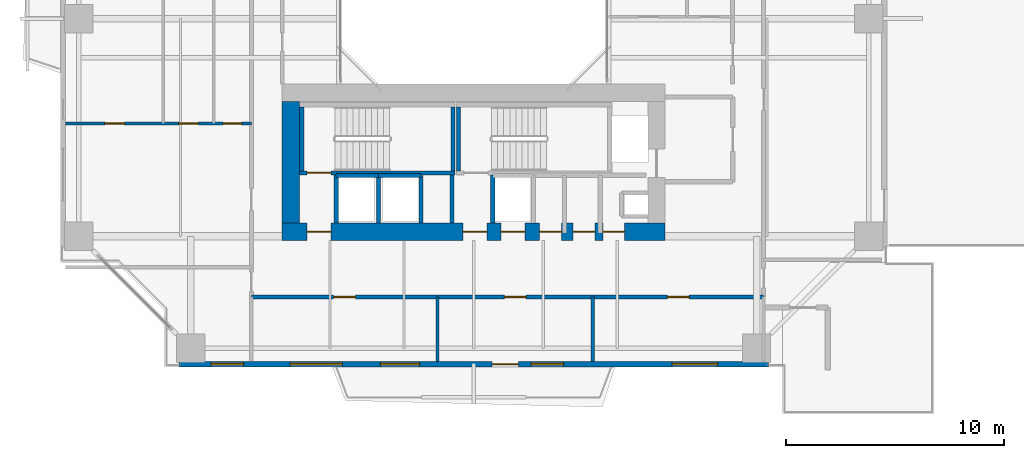
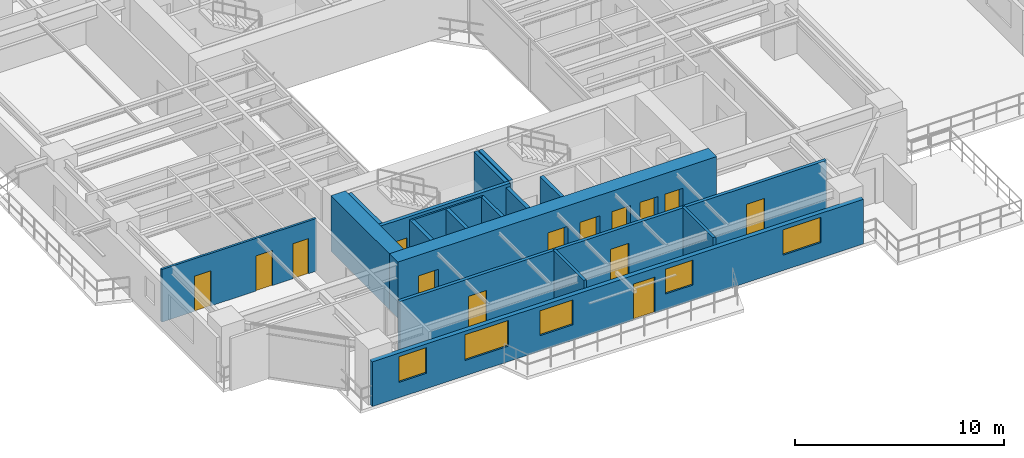
# One storey, part 10 of 22: 18 walls, 14 doors, 5 windows, 19 openings.
"""IFC4 building model written with IfcOpenShell, lengths in metres."""

from ifc_helpers import new_model, si_unit, direction, frame, frame_2d, origin, place, context, subcontext, project, spatial, rectangle, extrude, source, transform, mapped, material, layer, layer_set, type_object, element, fill, save


model = new_model("IFC4")

# Units and contexts
model_context = context("Model", 3, precision=1e-05, world=origin(), true_north=direction((0.0, 1.0)))
body_context = subcontext(model_context, "Body", "Model", "MODEL_VIEW")
ifc_project = project(units=[si_unit("LENGTHUNIT", "METRE"), si_unit("AREAUNIT", "SQUARE_METRE"), si_unit("VOLUMEUNIT", "CUBIC_METRE"), si_unit("PLANEANGLEUNIT", "RADIAN"), si_unit("MASSUNIT", "GRAM", prefix="KILO"), si_unit("THERMODYNAMICTEMPERATUREUNIT", "KELVIN"), si_unit("POWERUNIT", "WATT")], contexts=[model_context])

# Site, building, storey
site_placement = place(None, origin())
site = spatial("IfcSite", under=ifc_project, at=site_placement, CompositionType="ELEMENT")
building_placement = place(site_placement, origin())
building = spatial("IfcBuilding", under=site, at=building_placement, Name="Qiaomeng Ring Towers", CompositionType="ELEMENT")
storey_placement = place(building_placement, frame((0.0, 0.0, 23.0)))
storey = spatial("IfcBuildingStorey", under=building, at=storey_placement, Name="L05", CompositionType="ELEMENT", Elevation=23.0)

# Wall, openings, windows, door
ifc_material_1 = material(Name="Precast concrete C40", Category="concrete")
ifc_layer_1 = layer(ifc_material_1, 0.25, Name="Precast concrete C40")
ifc_layer_set_1 = layer_set([ifc_layer_1], Name="Precast concrete C40")
wall_type_1 = type_object("IfcWallType", Name="ARC-WL-EW1", PredefinedType="STANDARD", material=ifc_layer_set_1)
wall_1_placement = place(storey_placement, frame((5.449951171875, 4.125, 0.0), z_axis=(0.0, 0.0, 1.0), x_axis=(1.0, 0.0, 0.0)))
wall_1 = element("IfcWall", 1, at=wall_1_placement, inside=storey, type_object=wall_type_1, Name="L05 Tower 1 S Exterior Wall", PredefinedType="STANDARD", context=body_context, shape_type="SweptSolid", body=[
    extrude(rectangle(XDim=27.10009765625, YDim=0.25, at=frame_2d((13.550048828125, 0.0))), origin(), (0.0, 0.0, 1.0), 2.610107421875),
])
opening_1_placement = place(wall_1_placement, frame((14.39990234375, 0.0, 0.0)))
opening_1 = element("IfcOpeningElement", 2, at=opening_1_placement, cuts=wall_1, Name="Opening BD1", PredefinedType="OPENING", context=body_context, shape_type="SweptSolid", body=[
    extrude(rectangle(XDim=1.199951171875, YDim=2.10009765625, at=frame_2d((0.60009765625, 1.050048828125))), frame((0.0, 0.135009765625, 0.0), z_axis=(0.0, -1.0, 0.0), x_axis=(1.0, 0.0, 0.0)), (0.0, 0.0, 1.0), 0.27001953125),
])
opening_2_placement = place(wall_1_placement, frame((1.47998046875, 0.0, 0.89990234375)))
opening_2 = element("IfcOpeningElement", 3, at=opening_2_placement, cuts=wall_1, Name="Opening WN2", PredefinedType="OPENING", context=body_context, shape_type="SweptSolid", body=[
    extrude(rectangle(XDim=1.5, YDim=1.5, at=frame_2d((0.75, 0.75))), frame((0.0, 0.135009765625, 0.0), z_axis=(0.0, -1.0, 0.0), x_axis=(1.0, 0.0, 0.0)), (0.0, 0.0, 1.0), 0.27001953125),
])
opening_3_placement = place(wall_1_placement, frame((9.262939453125, 0.0, 0.89990234375)))
opening_3 = element("IfcOpeningElement", 4, at=opening_3_placement, cuts=wall_1, Name="Opening WN1", PredefinedType="OPENING", context=body_context, shape_type="SweptSolid", body=[
    extrude(rectangle(XDim=1.800048828125, YDim=1.449951171875, at=frame_2d((0.89990234375, 0.72509765625))), frame((0.0, 0.135009765625, 0.0), z_axis=(0.0, -1.0, 0.0), x_axis=(1.0, 0.0, 0.0)), (0.0, 0.0, 1.0), 0.27001953125),
])
opening_4_placement = place(wall_1_placement, frame((16.18798828125, 0.0, 0.89990234375)))
opening_4 = element("IfcOpeningElement", 5, at=opening_4_placement, cuts=wall_1, Name="Opening WN2", PredefinedType="OPENING", context=body_context, shape_type="SweptSolid", body=[
    extrude(rectangle(XDim=1.5, YDim=1.449951171875, at=frame_2d((0.75, 0.72509765625))), frame((0.0, 0.135009765625, 0.0), z_axis=(0.0, -1.0, 0.0), x_axis=(1.0, 0.0, 0.0)), (0.0, 0.0, 1.0), 0.27001953125),
])
opening_5_placement = place(wall_1_placement, frame((22.6630859375, 0.0, 0.89990234375)))
opening_5 = element("IfcOpeningElement", 6, at=opening_5_placement, cuts=wall_1, Name="Opening WN4", PredefinedType="OPENING", context=body_context, shape_type="SweptSolid", body=[
    extrude(rectangle(XDim=2.10009765625, YDim=1.47998046875, at=frame_2d((1.050048828125, 0.739990234375))), frame((0.0, 0.135009765625, 0.0), z_axis=(0.0, -1.0, 0.0), x_axis=(1.0, 0.0, 0.0)), (0.0, 0.0, 1.0), 0.27001953125),
])
opening_6_placement = place(wall_1_placement, frame((5.114013671875, 0.0, 0.89990234375)))
opening_6 = element("IfcOpeningElement", 7, at=opening_6_placement, cuts=wall_1, Name="Opening WN6", PredefinedType="OPENING", context=body_context, shape_type="SweptSolid", body=[
    extrude(rectangle(XDim=2.39990234375, YDim=1.5, at=frame_2d((1.199951171875, 0.75))), frame((0.0, 0.135009765625, 0.0), z_axis=(0.0, -1.0, 0.0), x_axis=(1.0, 0.0, 0.0)), (0.0, 0.0, 1.0), 0.27001953125),
])
ifc_material_2 = material(Name="Low-E dark-grey laminated double glazing", Category="glass")
window_type_1 = type_object("IfcWindowType", Name="ARC-WN-2", PartitioningType="DOUBLE_PANEL_VERTICAL", PredefinedType="WINDOW", material=ifc_material_2)
shared_shape_1 = source(origin(), body_context, "Body", "SweptSolid", [
    extrude(rectangle(XDim=1.5, YDim=1.449951171875, at=frame_2d((0.75, 0.72509765625))), frame((0.0, 0.030029296875, 0.0), z_axis=(0.0, -1.0, 0.0), x_axis=(1.0, 0.0, 0.0)), (0.0, 0.0, 1.0), 0.06005859375),
])
window_1_placement = place(opening_4_placement, origin())
window_1 = element("IfcWindow", 8, at=window_1_placement, inside=storey, type_object=window_type_1, Name="L05 Exterior Window WN2", OverallHeight=1.449951171875, OverallWidth=1.5, PartitioningType="DOUBLE_PANEL_VERTICAL", PredefinedType="WINDOW", context=body_context, shape_type="MappedRepresentation", body=[
    mapped(shared_shape_1, transform((0.0, 0.0, 0.0), x_axis=(1.0, 0.0, 0.0), y_axis=(0.0, 1.0, 0.0), z_axis=(0.0, 0.0, 1.0), scale=1.0)),
])
fill(opening_4, window_1)
window_type_2 = type_object("IfcWindowType", Name="ARC-WN-4", PartitioningType="TRIPLE_PANEL_VERTICAL", PredefinedType="WINDOW", material=ifc_material_2)
shared_shape_2 = source(origin(), body_context, "Body", "SweptSolid", [
    extrude(rectangle(XDim=2.10009765625, YDim=1.47998046875, at=frame_2d((1.050048828125, 0.739990234375))), frame((0.0, 0.030029296875, 0.0), z_axis=(0.0, -1.0, 0.0), x_axis=(1.0, 0.0, 0.0)), (0.0, 0.0, 1.0), 0.06005859375),
])
window_2_placement = place(opening_5_placement, origin())
window_2 = element("IfcWindow", 9, at=window_2_placement, inside=storey, type_object=window_type_2, Name="L05 Exterior Window WN4", OverallHeight=1.47998046875, OverallWidth=2.10009765625, PartitioningType="TRIPLE_PANEL_VERTICAL", PredefinedType="WINDOW", context=body_context, shape_type="MappedRepresentation", body=[
    mapped(shared_shape_2, transform((0.0, 0.0, 0.0), x_axis=(1.0, 0.0, 0.0), y_axis=(0.0, 1.0, 0.0), z_axis=(0.0, 0.0, 1.0), scale=1.0)),
])
fill(opening_5, window_2)
window_type_3 = type_object("IfcWindowType", Name="ARC-WN-1", PartitioningType="DOUBLE_PANEL_VERTICAL", PredefinedType="WINDOW", material=ifc_material_2)
shared_shape_3 = source(origin(), body_context, "Body", "SweptSolid", [
    extrude(rectangle(XDim=1.800048828125, YDim=1.449951171875, at=frame_2d((0.89990234375, 0.72509765625))), frame((0.0, 0.030029296875, 0.0), z_axis=(0.0, -1.0, 0.0), x_axis=(1.0, 0.0, 0.0)), (0.0, 0.0, 1.0), 0.06005859375),
])
window_3_placement = place(opening_3_placement, origin())
window_3 = element("IfcWindow", 10, at=window_3_placement, inside=storey, type_object=window_type_3, Name="L05 Exterior Window WN1", OverallHeight=1.449951171875, OverallWidth=1.800048828125, PartitioningType="DOUBLE_PANEL_VERTICAL", PredefinedType="WINDOW", context=body_context, shape_type="MappedRepresentation", body=[
    mapped(shared_shape_3, transform((0.0, 0.0, 0.0), x_axis=(1.0, 0.0, 0.0), y_axis=(0.0, 1.0, 0.0), z_axis=(0.0, 0.0, 1.0), scale=1.0)),
])
fill(opening_3, window_3)
door_type_1 = type_object("IfcDoorType", Name="ARC-DR-BD1", OperationType="NOTDEFINED", PredefinedType="DOOR", material=ifc_material_2)
shared_shape_4 = source(origin(), body_context, "Body", "SweptSolid", [
    extrude(rectangle(XDim=1.199951171875, YDim=2.10009765625, at=frame_2d((0.60009765625, 1.050048828125))), frame((0.0, 0.02490234375, 0.0), z_axis=(0.0, -1.0, 0.0), x_axis=(1.0, 0.0, 0.0)), (0.0, 0.0, 1.0), 0.050048828125),
])
door_1_placement = place(opening_1_placement, frame((1.199951171875, 0.0, 0.0), z_axis=(0.0, 0.0, 1.0), x_axis=(-1.0, 0.0, 0.0)))
door_1 = element("IfcDoor", 11, at=door_1_placement, inside=storey, type_object=door_type_1, Name="L05 S Balcony Glazed Door", OperationType="SINGLE_SWING_LEFT", OverallHeight=2.10009765625, OverallWidth=1.199951171875, PredefinedType="DOOR", context=body_context, shape_type="MappedRepresentation", body=[
    mapped(shared_shape_4, transform((0.0, 0.0, 0.0), x_axis=(1.0, 0.0, 0.0), y_axis=(0.0, 1.0, 0.0), z_axis=(0.0, 0.0, 1.0), scale=1.0)),
])
fill(opening_1, door_1)
shared_shape_5 = source(origin(), body_context, "Body", "SweptSolid", [
    extrude(rectangle(XDim=1.5, YDim=1.5, at=frame_2d((0.75, 0.75))), frame((0.0, 0.030029296875, 0.0), z_axis=(0.0, -1.0, 0.0), x_axis=(1.0, 0.0, 0.0)), (0.0, 0.0, 1.0), 0.06005859375),
])
window_4_placement = place(opening_2_placement, origin())
window_4 = element("IfcWindow", 12, at=window_4_placement, inside=storey, type_object=window_type_1, Name="L05 Exterior Window WN6", OverallHeight=1.5, OverallWidth=1.5, PartitioningType="TRIPLE_PANEL_VERTICAL", PredefinedType="WINDOW", context=body_context, shape_type="MappedRepresentation", body=[
    mapped(shared_shape_5, transform((0.0, 0.0, 0.0), x_axis=(1.0, 0.0, 0.0), y_axis=(0.0, 1.0, 0.0), z_axis=(0.0, 0.0, 1.0), scale=1.0)),
])
fill(opening_2, window_4)
window_type_4 = type_object("IfcWindowType", Name="ARC-WN-6", PartitioningType="TRIPLE_PANEL_VERTICAL", PredefinedType="WINDOW", material=ifc_material_2)
shared_shape_6 = source(origin(), body_context, "Body", "SweptSolid", [
    extrude(rectangle(XDim=2.39990234375, YDim=1.5, at=frame_2d((1.199951171875, 0.75))), frame((0.0, 0.030029296875, 0.0), z_axis=(0.0, -1.0, 0.0), x_axis=(1.0, 0.0, 0.0)), (0.0, 0.0, 1.0), 0.06005859375),
])
window_5_placement = place(opening_6_placement, origin())
window_5 = element("IfcWindow", 13, at=window_5_placement, inside=storey, type_object=window_type_4, Name="L05 Exterior Window WN6", OverallHeight=1.5, OverallWidth=2.39990234375, PartitioningType="TRIPLE_PANEL_VERTICAL", PredefinedType="WINDOW", context=body_context, shape_type="MappedRepresentation", body=[
    mapped(shared_shape_6, transform((0.0, 0.0, 0.0), x_axis=(1.0, 0.0, 0.0), y_axis=(0.0, 1.0, 0.0), z_axis=(0.0, 0.0, 1.0), scale=1.0)),
])
fill(opening_6, window_5)

# Walls
ifc_material_3 = material(Name="Autoclaved aerated concrete block", Category="concrete")
ifc_layer_2 = layer(ifc_material_3, 0.199951171875, Name="Autoclaved aerated concrete block")
ifc_layer_set_2 = layer_set([ifc_layer_2], Name="Autoclaved aerated concrete block")
wall_type_2 = type_object("IfcWallType", Name="ARC-WL-PW1", PredefinedType="PARTITIONING", material=ifc_layer_set_2)
for number, where, z_axis, x_axis, name in (
    (14, (12.679931640625, 10.60009765625, 0.0), (0.0, 0.0, 1.0), (0.0, 1.0, 0.0), "L05 Interior Wall PW1"),
    (15, (18.0, 10.60009765625, 0.0), (0.0, 0.0, 1.0), (0.0, 1.0, 0.0), "L05 Interior Wall PW1"),
    (16, (19.8798828125, 10.60009765625, 0.0), (0.0, 0.0, 1.0), (0.0, 1.0, 0.0), "L05 Interior Wall PW1"),
):
    element("IfcWall", number, at=place(storey_placement, frame(where, z_axis=z_axis, x_axis=x_axis)), inside=storey, type_object=wall_type_2, Name=name, PredefinedType="PARTITIONING", context=body_context, shape_type="SweptSolid", body=[
        extrude(rectangle(XDim=2.2099609375, YDim=0.199951171875, at=frame_2d((1.10498046875, 0.0))), origin(), (0.0, 0.0, 1.0), 3.070068359375),
    ])

# Wall, openings, doors
ifc_layer_3 = layer(ifc_material_3, 0.179931640625, Name="Autoclaved aerated concrete block")
ifc_layer_set_3 = layer_set([ifc_layer_3], Name="Autoclaved aerated concrete block")
wall_type_3 = type_object("IfcWallType", Name="ARC-WL-PW2", PredefinedType="PARTITIONING", material=ifc_layer_set_3)
wall_2_placement = place(storey_placement, frame((8.780029296875, 7.2099609375, 0.0), z_axis=(0.0, 0.0, 1.0), x_axis=(1.0, 0.0, 0.0)))
wall_2 = element("IfcWall", 17, at=wall_2_placement, inside=storey, type_object=wall_type_3, Name="L05 Interior Wall PW2", PredefinedType="PARTITIONING", context=body_context, shape_type="SweptSolid", body=[
    extrude(rectangle(XDim=23.5400390625, YDim=0.179931640625, at=frame_2d((11.77001953125, 0.0))), origin(), (0.0, 0.0, 1.0), 3.070068359375),
])
opening_7_placement = place(wall_2_placement, frame((3.780029296875, 0.0, 0.0)))
opening_7 = element("IfcOpeningElement", 18, at=opening_7_placement, cuts=wall_2, Name="Opening FD4", PredefinedType="OPENING", context=body_context, shape_type="SweptSolid", body=[
    extrude(rectangle(XDim=1.0, YDim=2.050048828125, at=frame_2d((0.5, 1.02490234375))), frame((0.0, 0.099853515625, 0.0), z_axis=(0.0, -1.0, 0.0), x_axis=(1.0, 0.0, 0.0)), (0.0, 0.0, 1.0), 0.199951171875),
])
opening_8_placement = place(wall_2_placement, frame((11.625, 0.0, 0.0)))
opening_8 = element("IfcOpeningElement", 19, at=opening_8_placement, cuts=wall_2, Name="Opening FD4", PredefinedType="OPENING", context=body_context, shape_type="SweptSolid", body=[
    extrude(rectangle(XDim=1.0, YDim=2.050048828125, at=frame_2d((0.5, 1.02490234375))), frame((0.0, 0.099853515625, 0.0), z_axis=(0.0, -1.0, 0.0), x_axis=(1.0, 0.0, 0.0)), (0.0, 0.0, 1.0), 0.199951171875),
])
opening_9_placement = place(wall_2_placement, frame((19.114990234375, 0.0, 0.0)))
opening_9 = element("IfcOpeningElement", 20, at=opening_9_placement, cuts=wall_2, Name="Opening FD4", PredefinedType="OPENING", context=body_context, shape_type="SweptSolid", body=[
    extrude(rectangle(XDim=1.0, YDim=2.050048828125, at=frame_2d((0.5, 1.02490234375))), frame((0.0, 0.099853515625, 0.0), z_axis=(0.0, -1.0, 0.0), x_axis=(1.0, 0.0, 0.0)), (0.0, 0.0, 1.0), 0.199951171875),
])
ifc_material_4 = material(Name="Engineered fire-rated oak timber", Category="wood")
door_type_2 = type_object("IfcDoorType", Name="ARC-DR-FD4", OperationType="NOTDEFINED", PredefinedType="DOOR", material=ifc_material_4)
shared_shape_7 = source(origin(), body_context, "Body", "SweptSolid", [
    extrude(rectangle(XDim=1.0, YDim=2.050048828125, at=frame_2d((0.5, 1.02490234375))), frame((0.0, 0.02490234375, 0.0), z_axis=(0.0, -1.0, 0.0), x_axis=(1.0, 0.0, 0.0)), (0.0, 0.0, 1.0), 0.050048828125),
])
door_2_placement = place(opening_7_placement, origin())
door_2 = element("IfcDoor", 21, at=door_2_placement, inside=storey, type_object=door_type_2, Name="L05 Door FD4", OperationType="SINGLE_SWING_RIGHT", OverallHeight=2.050048828125, OverallWidth=1.0, PredefinedType="DOOR", context=body_context, shape_type="MappedRepresentation", body=[
    mapped(shared_shape_7, transform((0.0, 0.0, 0.0), x_axis=(1.0, 0.0, 0.0), y_axis=(0.0, 1.0, 0.0), z_axis=(0.0, 0.0, 1.0), scale=1.0)),
])
fill(opening_7, door_2)
door_3_placement = place(opening_8_placement, origin())
door_3 = element("IfcDoor", 22, at=door_3_placement, inside=storey, type_object=door_type_2, Name="L05 Door FD4", OperationType="SINGLE_SWING_LEFT", OverallHeight=2.050048828125, OverallWidth=1.0, PredefinedType="DOOR", context=body_context, shape_type="MappedRepresentation", body=[
    mapped(shared_shape_7, transform((0.0, 0.0, 0.0), x_axis=(1.0, 0.0, 0.0), y_axis=(0.0, 1.0, 0.0), z_axis=(0.0, 0.0, 1.0), scale=1.0)),
])
fill(opening_8, door_3)
door_4_placement = place(opening_9_placement, origin())
door_4 = element("IfcDoor", 23, at=door_4_placement, inside=storey, type_object=door_type_2, Name="L05 Door FD4", OperationType="SINGLE_SWING_RIGHT", OverallHeight=2.050048828125, OverallWidth=1.0, PredefinedType="DOOR", context=body_context, shape_type="MappedRepresentation", body=[
    mapped(shared_shape_7, transform((0.0, 0.0, 0.0), x_axis=(1.0, 0.0, 0.0), y_axis=(0.0, 1.0, 0.0), z_axis=(0.0, 0.0, 1.0), scale=1.0)),
])
fill(opening_9, door_4)

# Walls
ifc_material_5 = material(Name="Gypsum fireboard steel-stud partition", Category="steel")
ifc_layer_4 = layer(ifc_material_5, 0.14990234375, Name="Gypsum fireboard steel-stud partition")
ifc_layer_set_4 = layer_set([ifc_layer_4], Name="Gypsum fireboard steel-stud partition")
wall_type_4 = type_object("IfcWallType", Name="ARC-WL-PW3", PredefinedType="PARTITIONING", material=ifc_layer_set_4)
for number, where, z_axis, x_axis, name in (
    (24, (17.340087890625, 4.25, 0.0), (0.0, 0.0, 1.0), (0.0, 1.0, 0.0), "L05 Interior Wall PW3"),
    (25, (24.469970703125, 4.25, 0.0), (0.0, 0.0, 1.0), (0.0, 1.0, 0.0), "L05 Interior Wall PW3"),
):
    element("IfcWall", number, at=place(storey_placement, frame(where, z_axis=z_axis, x_axis=x_axis)), inside=storey, type_object=wall_type_4, Name=name, PredefinedType="PARTITIONING", context=body_context, shape_type="SweptSolid", body=[
        extrude(rectangle(XDim=2.9599609375, YDim=0.14990234375, at=frame_2d((1.47998046875, 0.0))), origin(), (0.0, 0.0, 1.0), 3.070068359375),
    ])

# Wall, openings, doors
ifc_material_6 = material(Name="Moisture-resistant gypsum steel-stud partition", Category="steel")
ifc_layer_5 = layer(ifc_material_6, 0.1201171875, Name="Moisture-resistant gypsum steel-stud partition")
ifc_layer_set_5 = layer_set([ifc_layer_5], Name="Moisture-resistant gypsum steel-stud partition")
wall_type_5 = type_object("IfcWallType", Name="ARC-WL-PW4", PredefinedType="PLUMBINGWALL", material=ifc_layer_set_5)
wall_3_placement = place(storey_placement, frame((0.25, 15.179931640625, 0.0), z_axis=(0.0, 0.0, 1.0), x_axis=(1.0, 0.0, 0.0)))
wall_3 = element("IfcWall", 26, at=wall_3_placement, inside=storey, type_object=wall_type_5, Name="L05 Interior Wall PW4", PredefinedType="PLUMBINGWALL", context=body_context, shape_type="SweptSolid", body=[
    extrude(rectangle(XDim=8.530029296875, YDim=0.1201171875, at=frame_2d((4.26513671875, 0.0))), origin(), (0.0, 0.0, 1.0), 3.070068359375),
])
opening_10_placement = place(wall_3_placement, frame((1.804931640625, 0.0, 0.0)))
opening_10 = element("IfcOpeningElement", 27, at=opening_10_placement, cuts=wall_3, Name="Opening ID1", PredefinedType="OPENING", context=body_context, shape_type="SweptSolid", body=[
    extrude(rectangle(XDim=0.89990234375, YDim=2.050048828125, at=frame_2d((0.449951171875, 1.02490234375))), frame((0.0, 0.070068359375, 0.0), z_axis=(0.0, -1.0, 0.0), x_axis=(1.0, 0.0, 0.0)), (0.0, 0.0, 1.0), 0.14013671875),
])
opening_11_placement = place(wall_3_placement, frame((5.199951171875, 0.0, 0.0)))
opening_11 = element("IfcOpeningElement", 28, at=opening_11_placement, cuts=wall_3, Name="Opening ID1", PredefinedType="OPENING", context=body_context, shape_type="SweptSolid", body=[
    extrude(rectangle(XDim=0.89990234375, YDim=2.050048828125, at=frame_2d((0.449951171875, 1.02490234375))), frame((0.0, 0.070068359375, 0.0), z_axis=(0.0, -1.0, 0.0), x_axis=(1.0, 0.0, 0.0)), (0.0, 0.0, 1.0), 0.14013671875),
])
opening_12_placement = place(wall_3_placement, frame((7.235107421875, 0.0, 0.0)))
opening_12 = element("IfcOpeningElement", 29, at=opening_12_placement, cuts=wall_3, Name="Opening ID2", PredefinedType="OPENING", context=body_context, shape_type="SweptSolid", body=[
    extrude(rectangle(XDim=0.85009765625, YDim=2.050048828125, at=frame_2d((0.425048828125, 1.02490234375))), frame((0.0, 0.070068359375, 0.0), z_axis=(0.0, -1.0, 0.0), x_axis=(1.0, 0.0, 0.0)), (0.0, 0.0, 1.0), 0.14013671875),
])
ifc_material_7 = material(Name="Moisture-resistant engineered timber", Category="wood")
door_type_3 = type_object("IfcDoorType", Name="ARC-DR-ID2", OperationType="NOTDEFINED", PredefinedType="DOOR", material=ifc_material_7)
shared_shape_8 = source(origin(), body_context, "Body", "SweptSolid", [
    extrude(rectangle(XDim=0.85009765625, YDim=2.050048828125, at=frame_2d((0.425048828125, 1.02490234375))), frame((0.0, 0.02490234375, 0.0), z_axis=(0.0, -1.0, 0.0), x_axis=(1.0, 0.0, 0.0)), (0.0, 0.0, 1.0), 0.050048828125),
])
door_5_placement = place(opening_12_placement, origin())
door_5 = element("IfcDoor", 30, at=door_5_placement, inside=storey, type_object=door_type_3, Name="L05 Door ID2", OperationType="SINGLE_SWING_LEFT", OverallHeight=2.050048828125, OverallWidth=0.85009765625, PredefinedType="DOOR", context=body_context, shape_type="MappedRepresentation", body=[
    mapped(shared_shape_8, transform((0.0, 0.0, 0.0), x_axis=(1.0, 0.0, 0.0), y_axis=(0.0, 1.0, 0.0), z_axis=(0.0, 0.0, 1.0), scale=1.0)),
])
fill(opening_12, door_5)
ifc_material_8 = material(Name="Engineered oak timber", Category="wood")
door_type_4 = type_object("IfcDoorType", Name="ARC-DR-ID1", OperationType="NOTDEFINED", PredefinedType="DOOR", material=ifc_material_8)
shared_shape_9 = source(origin(), body_context, "Body", "SweptSolid", [
    extrude(rectangle(XDim=0.89990234375, YDim=2.050048828125, at=frame_2d((0.449951171875, 1.02490234375))), frame((0.0, 0.02490234375, 0.0), z_axis=(0.0, -1.0, 0.0), x_axis=(1.0, 0.0, 0.0)), (0.0, 0.0, 1.0), 0.050048828125),
])
door_6_placement = place(opening_10_placement, origin())
door_6 = element("IfcDoor", 31, at=door_6_placement, inside=storey, type_object=door_type_4, Name="L05 Door ID1", OperationType="SINGLE_SWING_LEFT", OverallHeight=2.050048828125, OverallWidth=0.89990234375, PredefinedType="DOOR", context=body_context, shape_type="MappedRepresentation", body=[
    mapped(shared_shape_9, transform((0.0, 0.0, 0.0), x_axis=(1.0, 0.0, 0.0), y_axis=(0.0, 1.0, 0.0), z_axis=(0.0, 0.0, 1.0), scale=1.0)),
])
fill(opening_10, door_6)
door_7_placement = place(opening_11_placement, origin())
door_7 = element("IfcDoor", 32, at=door_7_placement, inside=storey, type_object=door_type_4, Name="L05 Door ID1", OperationType="SINGLE_SWING_RIGHT", OverallHeight=2.050048828125, OverallWidth=0.89990234375, PredefinedType="DOOR", context=body_context, shape_type="MappedRepresentation", body=[
    mapped(shared_shape_9, transform((0.0, 0.0, 0.0), x_axis=(1.0, 0.0, 0.0), y_axis=(0.0, 1.0, 0.0), z_axis=(0.0, 0.0, 1.0), scale=1.0)),
])
fill(opening_11, door_7)

# Walls
ifc_material_9 = material(Name="Concrete C40", Category="concrete")
ifc_layer_6 = layer(ifc_material_9, 0.199951171875, Name="Concrete C40")
ifc_layer_set_6 = layer_set([ifc_layer_6], Name="Concrete C40")
wall_type_6 = type_object("IfcWallType", Name="STR-WL-STSHAFT", PredefinedType="SHEAR", material=ifc_layer_set_6)
wall_4_placement = place(storey_placement, frame((12.679931640625, 12.800048828125, 0.0), z_axis=(0.0, 0.0, 1.0), x_axis=(1.0, 0.0, 0.0)))
element("IfcWall", 33, at=wall_4_placement, inside=storey, type_object=wall_type_6, Name="L05 Lift LP6 Shaft Back Wall", PredefinedType="SHEAR", context=body_context, shape_type="SweptSolid", body=[
    extrude(rectangle(XDim=1.940185546875, YDim=0.179931640625, at=frame_2d((0.97021484375, 0.0))), origin(), (0.0, 0.0, 1.0), 3.070068359375),
])
wall_5_placement = place(storey_placement, frame((14.6201171875, 10.60009765625, 0.0), z_axis=(0.0, 0.0, 1.0), x_axis=(0.0, 1.0, 0.0)))
element("IfcWall", 34, at=wall_5_placement, inside=storey, type_object=wall_type_6, Name="L05 Lift LP6-LP4 Shaft Divider Wall", PredefinedType="SHEAR", context=body_context, shape_type="SweptSolid", body=[
    extrude(rectangle(XDim=2.199951171875, YDim=0.179931640625, at=frame_2d((1.10009765625, 0.0))), origin(), (0.0, 0.0, 1.0), 3.070068359375),
])
wall_6_placement = place(storey_placement, frame((14.6201171875, 12.800048828125, 0.0), z_axis=(0.0, 0.0, 1.0), x_axis=(1.0, 0.0, 0.0)))
element("IfcWall", 35, at=wall_6_placement, inside=storey, type_object=wall_type_6, Name="L05 Lift LP4 Shaft Back Wall", PredefinedType="SHEAR", context=body_context, shape_type="SweptSolid", body=[
    extrude(rectangle(XDim=1.9599609375, YDim=0.179931640625, at=frame_2d((0.97998046875, 0.0))), origin(), (0.0, 0.0, 1.0), 3.070068359375),
])
wall_7_placement = place(storey_placement, frame((16.580078125, 10.60009765625, 0.0), z_axis=(0.0, 0.0, 1.0), x_axis=(0.0, 1.0, 0.0)))
element("IfcWall", 36, at=wall_7_placement, inside=storey, type_object=wall_type_6, Name="L05 Lift LP4 East Shaft Wall", PredefinedType="SHEAR", context=body_context, shape_type="SweptSolid", body=[
    extrude(rectangle(XDim=2.199951171875, YDim=0.179931640625, at=frame_2d((1.10009765625, 0.0))), origin(), (0.0, 0.0, 1.0), 3.070068359375),
])

# Wall, opening, door
wall_8_placement = place(storey_placement, frame((11.0, 12.909912109375, 0.0), z_axis=(0.0, 0.0, 1.0), x_axis=(1.0, 0.0, 0.0)))
wall_8 = element("IfcWall", 37, at=wall_8_placement, inside=storey, type_object=wall_type_6, Name="L05 Stair ST3 South Shaft Shear Wall", PredefinedType="SHEAR", context=body_context, shape_type="SweptSolid", body=[
    extrude(rectangle(XDim=7.14990234375, YDim=0.199951171875, at=frame_2d((3.574951171875, 0.0))), origin(), (0.0, 0.0, 1.0), 3.25),
])
opening_13_placement = place(wall_8_placement, frame((0.35009765625, 0.0, 0.0)))
opening_13 = element("IfcOpeningElement", 38, at=opening_13_placement, cuts=wall_8, Name="Opening FD3", PredefinedType="OPENING", context=body_context, shape_type="SweptSolid", body=[
    extrude(rectangle(XDim=1.10009765625, YDim=2.050048828125, at=frame_2d((0.550048828125, 1.02490234375))), frame((0.0, 0.10986328125, 0.0), z_axis=(0.0, -1.0, 0.0), x_axis=(1.0, 0.0, 0.0)), (0.0, 0.0, 1.0), 0.219970703125),
])
ifc_material_10 = material(Name="Galvanised steel", Category="steel")
door_type_5 = type_object("IfcDoorType", Name="ARC-DR-FD3", OperationType="NOTDEFINED", PredefinedType="DOOR", material=ifc_material_10)
shared_shape_10 = source(origin(), body_context, "Body", "SweptSolid", [
    extrude(rectangle(XDim=1.10009765625, YDim=2.050048828125, at=frame_2d((0.550048828125, 1.02490234375))), frame((0.0, 0.02490234375, 0.0), z_axis=(0.0, -1.0, 0.0), x_axis=(1.0, 0.0, 0.0)), (0.0, 0.0, 1.0), 0.050048828125),
])
door_8_placement = place(opening_13_placement, frame((1.10009765625, 0.0, 0.0), z_axis=(0.0, 0.0, 1.0), x_axis=(-1.0, 0.0, 0.0)))
door_8 = element("IfcDoor", 39, at=door_8_placement, inside=storey, type_object=door_type_5, Name="L05 Stair ST3 Exit Door", OperationType="SINGLE_SWING_LEFT", OverallHeight=2.050048828125, OverallWidth=1.10009765625, PredefinedType="DOOR", context=body_context, shape_type="MappedRepresentation", body=[
    mapped(shared_shape_10, transform((0.0, 0.0, 0.0), x_axis=(1.0, 0.0, 0.0), y_axis=(0.0, 1.0, 0.0), z_axis=(0.0, 0.0, 1.0), scale=1.0)),
])
fill(opening_13, door_8)

# Walls
for number, where, z_axis, x_axis, name in (
    (40, (11.10009765625, 13.010009765625, 0.0), (0.0, 0.0, 1.0), (0.0, 1.0, 0.0), "L05 Stair ST3 West Shaft Shear Wall"),
    (41, (18.050048828125, 13.010009765625, 0.0), (0.0, 0.0, 1.0), (0.0, 1.0, 0.0), "L05 Stair ST3 East Shaft Shear Wall"),
    (42, (18.300048828125, 13.010009765625, 0.0), (0.0, 0.0, 1.0), (0.0, 1.0, 0.0), "L05 Stair ST4 West Shaft Shear Wall"),
):
    element("IfcWall", number, at=place(storey_placement, frame(where, z_axis=z_axis, x_axis=x_axis)), inside=storey, type_object=wall_type_6, Name=name, PredefinedType="SHEAR", context=body_context, shape_type="SweptSolid", body=[
        extrude(rectangle(XDim=2.93994140625, YDim=0.199951171875, at=frame_2d((1.469970703125, 0.0))), origin(), (0.0, 0.0, 1.0), 3.25),
    ])

# Wall, openings, doors
ifc_material_11 = material(Name="Concrete C60", Category="concrete")
ifc_layer_7 = layer(ifc_material_11, 0.800048828125, Name="Concrete C60")
ifc_layer_set_7 = layer_set([ifc_layer_7], Name="Concrete C60")
wall_type_7 = type_object("IfcWallType", Name="STR-WL-SW1", PredefinedType="SHEAR", material=ifc_layer_set_7)
wall_9_placement = place(storey_placement, frame((10.199951171875, 10.199951171875, 0.0), z_axis=(0.0, 0.0, 1.0), x_axis=(1.0, 0.0, 0.0)))
wall_9 = element("IfcWall", 43, at=wall_9_placement, inside=storey, type_object=wall_type_7, Name="L05 T1SC south core shear wall", PredefinedType="SHEAR", context=body_context, shape_type="SweptSolid", body=[
    extrude(rectangle(XDim=17.60009765625, YDim=0.800048828125, at=frame_2d((8.800048828125, 0.0))), origin(), (0.0, 0.0, 1.0), 3.25),
])
opening_14_placement = place(wall_9_placement, frame((1.14990234375, 0.0, 0.0)))
opening_14 = element("IfcOpeningElement", 44, at=opening_14_placement, cuts=wall_9, Name="Opening FD3", PredefinedType="OPENING", context=body_context, shape_type="SweptSolid", body=[
    extrude(rectangle(XDim=1.10009765625, YDim=2.050048828125, at=frame_2d((0.550048828125, 1.02490234375))), frame((0.0, 0.409912109375, 0.0), z_axis=(0.0, -1.0, 0.0), x_axis=(1.0, 0.0, 0.0)), (0.0, 0.0, 1.0), 0.820068359375),
])
opening_15_placement = place(wall_9_placement, frame((8.300048828125, 0.0, 0.0)))
opening_15 = element("IfcOpeningElement", 45, at=opening_15_placement, cuts=wall_9, Name="Opening FD3", PredefinedType="OPENING", context=body_context, shape_type="SweptSolid", body=[
    extrude(rectangle(XDim=1.10009765625, YDim=2.050048828125, at=frame_2d((0.550048828125, 1.02490234375))), frame((0.0, 0.409912109375, 0.0), z_axis=(0.0, -1.0, 0.0), x_axis=(1.0, 0.0, 0.0)), (0.0, 0.0, 1.0), 0.820068359375),
])
opening_16_placement = place(wall_9_placement, frame((10.050048828125, 0.0, 0.0)))
opening_16 = element("IfcOpeningElement", 46, at=opening_16_placement, cuts=wall_9, Name="Opening LD1", PredefinedType="OPENING", context=body_context, shape_type="SweptSolid", body=[
    extrude(rectangle(XDim=1.10009765625, YDim=2.050048828125, at=frame_2d((0.550048828125, 1.02490234375))), frame((0.0, 0.409912109375, 0.0), z_axis=(0.0, -1.0, 0.0), x_axis=(1.0, 0.0, 0.0)), (0.0, 0.0, 1.0), 0.820068359375),
])
opening_17_placement = place(wall_9_placement, frame((14.739990234375, 0.0, 0.0)))
opening_17 = element("IfcOpeningElement", 47, at=opening_17_placement, cuts=wall_9, Name="Opening FD1", PredefinedType="OPENING", context=body_context, shape_type="SweptSolid", body=[
    extrude(rectangle(XDim=1.0, YDim=2.050048828125, at=frame_2d((0.5, 1.02490234375))), frame((0.0, 0.409912109375, 0.0), z_axis=(0.0, -1.0, 0.0), x_axis=(1.0, 0.0, 0.0)), (0.0, 0.0, 1.0), 0.820068359375),
])
opening_18_placement = place(wall_9_placement, frame((11.8349609375, 0.0, 0.0)))
opening_18 = element("IfcOpeningElement", 48, at=opening_18_placement, cuts=wall_9, Name="Opening FD1", PredefinedType="OPENING", context=body_context, shape_type="SweptSolid", body=[
    extrude(rectangle(XDim=1.0, YDim=2.050048828125, at=frame_2d((0.5, 1.02490234375))), frame((0.0, 0.409912109375, 0.0), z_axis=(0.0, -1.0, 0.0), x_axis=(1.0, 0.0, 0.0)), (0.0, 0.0, 1.0), 0.820068359375),
])
opening_19_placement = place(wall_9_placement, frame((13.3701171875, 0.0, 0.0)))
opening_19 = element("IfcOpeningElement", 49, at=opening_19_placement, cuts=wall_9, Name="Opening FD1", PredefinedType="OPENING", context=body_context, shape_type="SweptSolid", body=[
    extrude(rectangle(XDim=1.0, YDim=2.050048828125, at=frame_2d((0.5, 1.02490234375))), frame((0.0, 0.409912109375, 0.0), z_axis=(0.0, -1.0, 0.0), x_axis=(1.0, 0.0, 0.0)), (0.0, 0.0, 1.0), 0.820068359375),
])
door_9_placement = place(opening_14_placement, origin())
door_9 = element("IfcDoor", 50, at=door_9_placement, inside=storey, type_object=door_type_5, Name="L05 Stair ST3 Lobby Door", OperationType="SINGLE_SWING_RIGHT", OverallHeight=2.050048828125, OverallWidth=1.10009765625, PredefinedType="DOOR", context=body_context, shape_type="MappedRepresentation", body=[
    mapped(shared_shape_10, transform((0.0, 0.0, 0.0), x_axis=(1.0, 0.0, 0.0), y_axis=(0.0, 1.0, 0.0), z_axis=(0.0, 0.0, 1.0), scale=1.0)),
])
fill(opening_14, door_9)
door_10_placement = place(opening_15_placement, origin())
door_10 = element("IfcDoor", 51, at=door_10_placement, inside=storey, type_object=door_type_5, Name="L05 Stair ST4 Lobby Door", OperationType="SINGLE_SWING_RIGHT", OverallHeight=2.050048828125, OverallWidth=1.10009765625, PredefinedType="DOOR", context=body_context, shape_type="MappedRepresentation", body=[
    mapped(shared_shape_10, transform((0.0, 0.0, 0.0), x_axis=(1.0, 0.0, 0.0), y_axis=(0.0, 1.0, 0.0), z_axis=(0.0, 0.0, 1.0), scale=1.0)),
])
fill(opening_15, door_10)
ifc_material_12 = material(Name="Stainless steel 316", Category="steel")
door_type_6 = type_object("IfcDoorType", Name="ARC-DR-LD1", OperationType="NOTDEFINED", PredefinedType="DOOR", material=ifc_material_12)
door_11_placement = place(opening_16_placement, origin())
door_11 = element("IfcDoor", 52, at=door_11_placement, inside=storey, type_object=door_type_6, Name="L05 Low-Zone Lift LP2 Landing Door", OperationType="SLIDING_TO_RIGHT", OverallHeight=2.050048828125, OverallWidth=1.10009765625, PredefinedType="DOOR", context=body_context, shape_type="MappedRepresentation", body=[
    mapped(shared_shape_10, transform((0.0, 0.0, 0.0), x_axis=(1.0, 0.0, 0.0), y_axis=(0.0, 1.0, 0.0), z_axis=(0.0, 0.0, 1.0), scale=1.0)),
])
fill(opening_16, door_11)
door_type_7 = type_object("IfcDoorType", Name="ARC-DR-FD1", OperationType="NOTDEFINED", PredefinedType="DOOR", material=ifc_material_10)
door_12_placement = place(opening_17_placement, origin())
door_12 = element("IfcDoor", 53, at=door_12_placement, inside=storey, type_object=door_type_7, Name="L05 South Electrical Riser Door", OperationType="SINGLE_SWING_LEFT", OverallHeight=2.050048828125, OverallWidth=1.0, PredefinedType="DOOR", context=body_context, shape_type="MappedRepresentation", body=[
    mapped(shared_shape_7, transform((0.0, 0.0, 0.0), x_axis=(1.0, 0.0, 0.0), y_axis=(0.0, 1.0, 0.0), z_axis=(0.0, 0.0, 1.0), scale=1.0)),
])
fill(opening_17, door_12)
door_13_placement = place(opening_18_placement, origin())
door_13 = element("IfcDoor", 54, at=door_13_placement, inside=storey, type_object=door_type_7, Name="L05 South Cleaners Cupboard Door", OperationType="SINGLE_SWING_RIGHT", OverallHeight=2.050048828125, OverallWidth=1.0, PredefinedType="DOOR", context=body_context, shape_type="MappedRepresentation", body=[
    mapped(shared_shape_7, transform((0.0, 0.0, 0.0), x_axis=(1.0, 0.0, 0.0), y_axis=(0.0, 1.0, 0.0), z_axis=(0.0, 0.0, 1.0), scale=1.0)),
])
fill(opening_18, door_13)
door_14_placement = place(opening_19_placement, origin())
door_14 = element("IfcDoor", 55, at=door_14_placement, inside=storey, type_object=door_type_7, Name="L05 South Tea Pantry Door", OperationType="SINGLE_SWING_LEFT", OverallHeight=2.050048828125, OverallWidth=1.0, PredefinedType="DOOR", context=body_context, shape_type="MappedRepresentation", body=[
    mapped(shared_shape_7, transform((0.0, 0.0, 0.0), x_axis=(1.0, 0.0, 0.0), y_axis=(0.0, 1.0, 0.0), z_axis=(0.0, 0.0, 1.0), scale=1.0)),
])
fill(opening_19, door_14)

# Wall
wall_10_placement = place(storey_placement, frame((10.60009765625, 10.60009765625, 0.0), z_axis=(0.0, 0.0, 1.0), x_axis=(0.0, 1.0, 0.0)))
element("IfcWall", 56, at=wall_10_placement, inside=storey, type_object=wall_type_7, Name="L05 T1SC west core shear wall", PredefinedType="SHEAR", context=body_context, shape_type="SweptSolid", body=[
    extrude(rectangle(XDim=5.599853515625, YDim=0.800048828125, at=frame_2d((2.7998046875, 0.0))), origin(), (0.0, 0.0, 1.0), 3.25),
])

save(model, "model.ifc")
